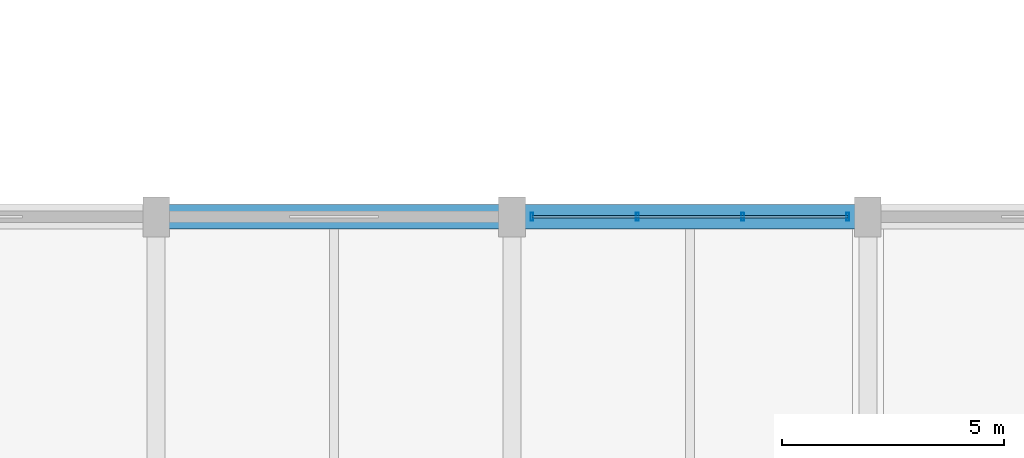
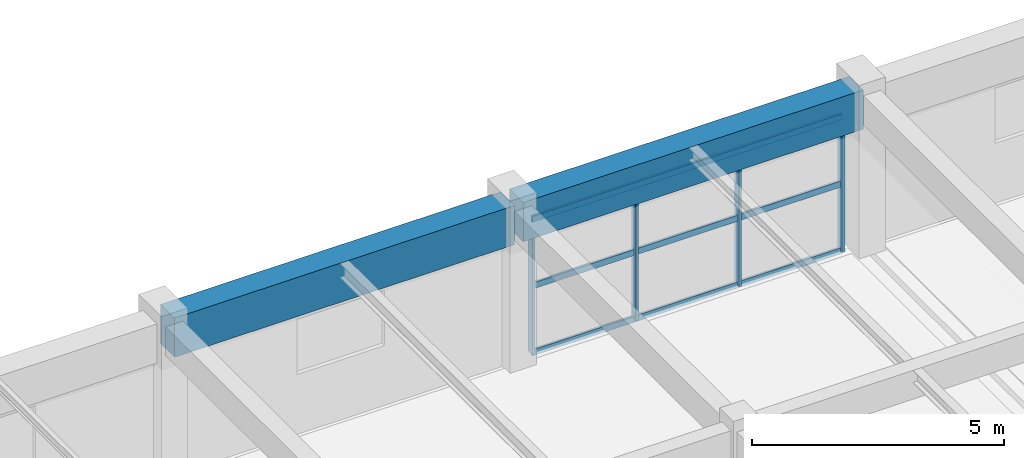
# One storey, part 5 of 63: 7 members, 2 beams, 1 element without a shape of its own.
"""IFC4 building model written with IfcOpenShell, lengths in metres."""

from ifc_helpers import new_model, si_unit, direction, frame, origin, origin_2d, place, context, subcontext, project, spatial, rectangle, hollow_rectangle, extrude, material, material_profile, profile_set, type_object, element, aggregate, save


model = new_model("IFC4")

# Units and contexts
model_context = context("Model", 3, precision=1e-05, world=origin(), true_north=direction((0.0, 1.0)))
body_context = subcontext(model_context, "Body", "Model", "MODEL_VIEW")
ifc_project = project(units=[si_unit("LENGTHUNIT", "METRE"), si_unit("AREAUNIT", "SQUARE_METRE"), si_unit("VOLUMEUNIT", "CUBIC_METRE"), si_unit("PLANEANGLEUNIT", "RADIAN"), si_unit("MASSUNIT", "GRAM", prefix="KILO")], contexts=[model_context])

# Site, building, storey
site_placement = place(None, origin())
site = spatial("IfcSite", under=ifc_project, at=site_placement, CompositionType="ELEMENT")
building_placement = place(site_placement, origin())
building = spatial("IfcBuilding", under=site, at=building_placement, Name="Varnabhumi Central Station", CompositionType="ELEMENT")
storey_placement = place(building_placement, frame((0.0, 0.0, 20.39990234375)))
storey = spatial("IfcBuildingStorey", under=building, at=storey_placement, Name="L04", CompositionType="ELEMENT", Elevation=20.39990234375)

# Beams
ifc_material_1 = material(Name="Concrete M40", Category="concrete")
ifc_material_profile_1 = material_profile(ifc_material_1, rectangle(XDim=0.550048828125, YDim=0.949951171875, at=origin_2d()), Name="Concrete M40", Category="concrete")
ifc_profile_set_1 = profile_set([ifc_material_profile_1], Name="Concrete M40")
beam_type = type_object("IfcBeamType", Name="BM-RC-550x950", PredefinedType="BEAM", material=ifc_profile_set_1)
for number, where, z_axis, x_axis, name in (
    (1, (48.10009765625, 36.0, 3.445068359375), (1.0, 0.0, 0.0), (0.0, 1.0, 0.0), "Beam L04-E:7-8"),
    (2, (56.10009765625, 36.0, 3.445068359375), (1.0, 0.0, 0.0), (0.0, 1.0, 0.0), "Beam L04-E:8-9"),
):
    element("IfcBeam", number, at=place(storey_placement, frame(where, z_axis=z_axis, x_axis=x_axis)), inside=storey, type_object=beam_type, Name=name, PredefinedType="BEAM", context=body_context, shape_type="SweptSolid", body=[
        extrude(rectangle(XDim=0.550048828125, YDim=0.949951171875, at=origin_2d()), origin(), (0.0, 0.0, 1.0), 7.7998046875),
    ])

# Curtain wall, members
ifc_material_2 = material(Name="Anodised aluminium 6063-T6", Category="aluminium")
curtain_wall_type = type_object("IfcCurtainWallType", Name="CW-SPINE-SCREEN-L0", PredefinedType="NOTDEFINED", material=ifc_material_2)
curtain_wall_placement = place(storey_placement, origin())
curtain_wall = element("IfcCurtainWall", 3, at=curtain_wall_placement, inside=storey, type_object=curtain_wall_type, Name="Curtain Wall CW-SS403", PredefinedType="NOTDEFINED")
ifc_material_profile_2 = material_profile(ifc_material_2, hollow_rectangle(XDim=0.06494140625, YDim=0.179931640625, WallThickness=0.00390625, InnerFilletRadius=0.001953125, OuterFilletRadius=0.006103515625, at=origin_2d()), Name="Anodised aluminium 6063-T6", Category="aluminium")
ifc_profile_set_2 = profile_set([ifc_material_profile_2], Name="Anodised aluminium 6063-T6")
member_type_1 = type_object("IfcMemberType", Name="CW-MUL-180", PredefinedType="MULLION", material=ifc_profile_set_2)
member_1_placement = place(storey_placement, frame((56.449951171875, 36.0, 0.0), z_axis=(0.0, 0.0, 1.0), x_axis=(1.0, 0.0, 0.0)))
member_1 = element("IfcMember", 4, at=member_1_placement, type_object=member_type_1, Name="Curtain Wall Mullion CW-SS403-M1", PredefinedType="MULLION", context=body_context, shape_type="SweptSolid", body=[
    extrude(hollow_rectangle(XDim=0.06494140625, YDim=0.179931640625, WallThickness=0.00390625, InnerFilletRadius=0.001953125, OuterFilletRadius=0.006103515625, at=origin_2d()), origin(), (0.0, 0.0, 1.0), 3.239990234375),
])
member_2_placement = place(storey_placement, frame((58.816650390625, 36.0, 0.0), z_axis=(0.0, 0.0, 1.0), x_axis=(1.0, 0.0, 0.0)))
member_2 = element("IfcMember", 5, at=member_2_placement, type_object=member_type_1, Name="Curtain Wall Mullion CW-SS403-M2", PredefinedType="MULLION", context=body_context, shape_type="SweptSolid", body=[
    extrude(hollow_rectangle(XDim=0.06494140625, YDim=0.179931640625, WallThickness=0.00390625, InnerFilletRadius=0.001953125, OuterFilletRadius=0.006103515625, at=origin_2d()), origin(), (0.0, 0.0, 1.0), 3.239990234375),
])
member_3_placement = place(storey_placement, frame((61.183349609375, 36.0, 0.0), z_axis=(0.0, 0.0, 1.0), x_axis=(1.0, 0.0, 0.0)))
member_3 = element("IfcMember", 6, at=member_3_placement, type_object=member_type_1, Name="Curtain Wall Mullion CW-SS403-M3", PredefinedType="MULLION", context=body_context, shape_type="SweptSolid", body=[
    extrude(hollow_rectangle(XDim=0.06494140625, YDim=0.179931640625, WallThickness=0.00390625, InnerFilletRadius=0.001953125, OuterFilletRadius=0.006103515625, at=origin_2d()), origin(), (0.0, 0.0, 1.0), 3.239990234375),
])
member_4_placement = place(storey_placement, frame((63.550048828125, 36.0, 0.0), z_axis=(0.0, 0.0, 1.0), x_axis=(1.0, 0.0, 0.0)))
member_4 = element("IfcMember", 7, at=member_4_placement, type_object=member_type_1, Name="Curtain Wall Mullion CW-SS403-M4", PredefinedType="MULLION", context=body_context, shape_type="SweptSolid", body=[
    extrude(hollow_rectangle(XDim=0.06494140625, YDim=0.179931640625, WallThickness=0.00390625, InnerFilletRadius=0.001953125, OuterFilletRadius=0.006103515625, at=origin_2d()), origin(), (0.0, 0.0, 1.0), 3.239990234375),
])
ifc_material_profile_3 = material_profile(ifc_material_2, hollow_rectangle(XDim=0.06005859375, YDim=0.14990234375, WallThickness=0.00390625, InnerFilletRadius=0.001953125, OuterFilletRadius=0.006103515625, at=origin_2d()), Name="Anodised aluminium 6063-T6", Category="aluminium")
ifc_profile_set_3 = profile_set([ifc_material_profile_3], Name="Anodised aluminium 6063-T6")
member_type_2 = type_object("IfcMemberType", Name="CW-TR-150", PredefinedType="USERDEFINED", material=ifc_profile_set_3)
member_5_placement = place(storey_placement, frame((56.449951171875, 36.0, 0.0), z_axis=(1.0, 0.0, 0.0), x_axis=(0.0, 1.0, 0.0)))
member_5 = element("IfcMember", 8, at=member_5_placement, type_object=member_type_2, Name="Curtain Wall Transom CW-SS403-T1", ObjectType="TRANSOM", PredefinedType="USERDEFINED", context=body_context, shape_type="SweptSolid", body=[
    extrude(hollow_rectangle(XDim=0.06005859375, YDim=0.14990234375, WallThickness=0.00390625, InnerFilletRadius=0.001953125, OuterFilletRadius=0.006103515625, at=origin_2d()), origin(), (0.0, 0.0, 1.0), 7.10009765625),
])
member_6_placement = place(storey_placement, frame((56.449951171875, 36.0, 1.6201171875), z_axis=(1.0, 0.0, 0.0), x_axis=(0.0, 1.0, 0.0)))
member_6 = element("IfcMember", 9, at=member_6_placement, type_object=member_type_2, Name="Curtain Wall Transom CW-SS403-T2", ObjectType="TRANSOM", PredefinedType="USERDEFINED", context=body_context, shape_type="SweptSolid", body=[
    extrude(hollow_rectangle(XDim=0.06005859375, YDim=0.14990234375, WallThickness=0.00390625, InnerFilletRadius=0.001953125, OuterFilletRadius=0.006103515625, at=origin_2d()), origin(), (0.0, 0.0, 1.0), 7.10009765625),
])
member_7_placement = place(storey_placement, frame((56.449951171875, 36.0, 3.239990234375), z_axis=(1.0, 0.0, 0.0), x_axis=(0.0, 1.0, 0.0)))
member_7 = element("IfcMember", 10, at=member_7_placement, type_object=member_type_2, Name="Curtain Wall Transom CW-SS403-T3", ObjectType="TRANSOM", PredefinedType="USERDEFINED", context=body_context, shape_type="SweptSolid", body=[
    extrude(hollow_rectangle(XDim=0.06005859375, YDim=0.14990234375, WallThickness=0.00390625, InnerFilletRadius=0.001953125, OuterFilletRadius=0.006103515625, at=origin_2d()), origin(), (0.0, 0.0, 1.0), 7.10009765625),
])
aggregate(curtain_wall, [member_1, member_2, member_3, member_4, member_5, member_6, member_7])

save(model, "model.ifc")
